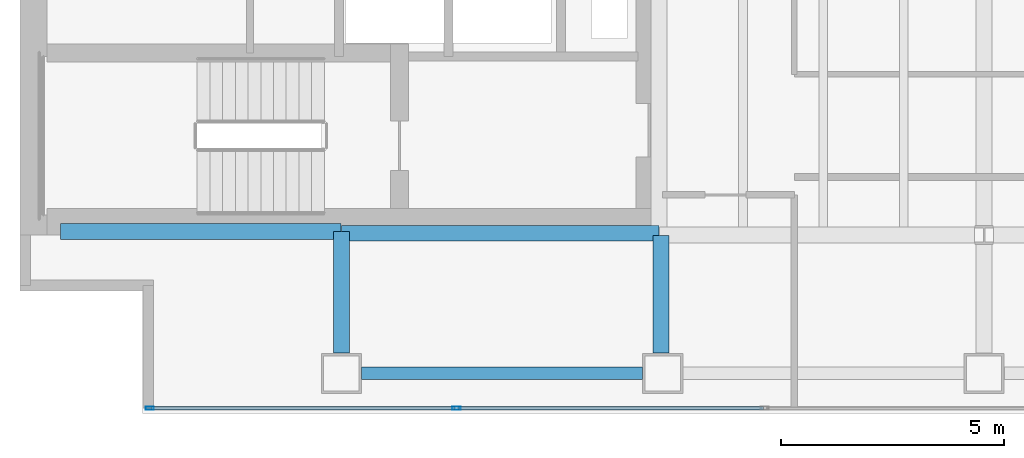
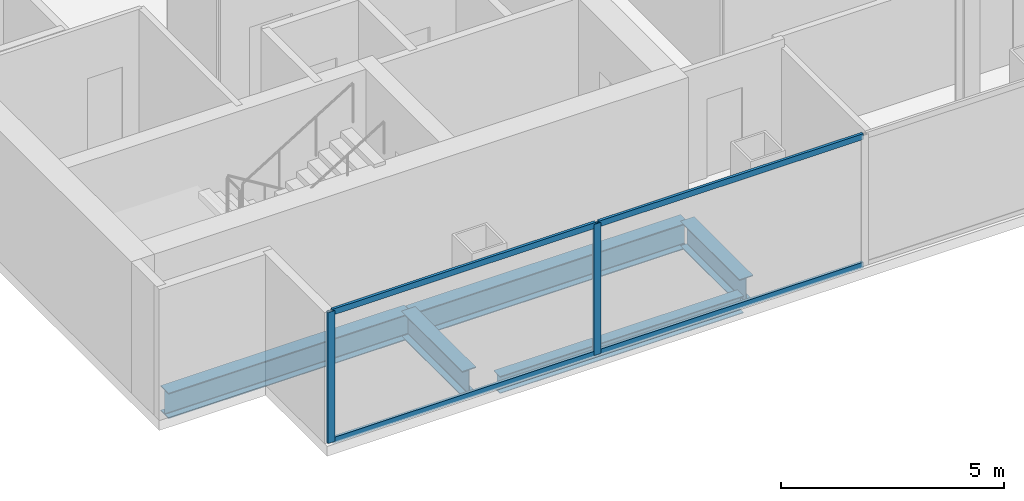
# One storey, part 2 of 23: 6 members, 5 beams, 1 element without a shape of its own.
"""IFC4 building model written with IfcOpenShell, lengths in metres."""

from ifc_helpers import new_model, si_unit, direction, frame, origin, origin_2d, place, context, subcontext, project, spatial, hollow_rectangle, i_section, extrude, material, material_profile, profile_set, type_object, element, aggregate, save


model = new_model("IFC4")

# Units and contexts
model_context = context("Model", 3, precision=1e-05, world=origin(), true_north=direction((0.0, 1.0)))
body_context = subcontext(model_context, "Body", "Model", "MODEL_VIEW")
ifc_project = project(units=[si_unit("LENGTHUNIT", "METRE"), si_unit("AREAUNIT", "SQUARE_METRE"), si_unit("VOLUMEUNIT", "CUBIC_METRE"), si_unit("PLANEANGLEUNIT", "RADIAN"), si_unit("MASSUNIT", "GRAM", prefix="KILO")], contexts=[model_context])

# Site, building, storey
site_placement = place(None, origin())
site = spatial("IfcSite", under=ifc_project, at=site_placement, CompositionType="ELEMENT")
building_placement = place(site_placement, origin())
building = spatial("IfcBuilding", under=site, at=building_placement, Name="Cobrela Telecom Tower", CompositionType="ELEMENT")
storey_placement = place(building_placement, frame((0.0, 0.0, 125.300048828125)))
storey = spatial("IfcBuildingStorey", under=building, at=storey_placement, Name="L31", CompositionType="ELEMENT", Elevation=125.300048828125)

# Beams
ifc_material_1 = material(Name="Steel ASTM A992 Grade 50", Category="steel")
ifc_material_profile_1 = material_profile(ifc_material_1, i_section(OverallWidth=0.35595703125, OverallDepth=0.696044921875, WebThickness=0.015380859375, FlangeThickness=0.024658203125, FilletRadius=0.01806640625, at=origin_2d()), Name="W27X146")
ifc_profile_set_1 = profile_set([ifc_material_profile_1], Name="Steel ASTM A992 Grade 50")
beam_type_1 = type_object("IfcBeamType", Name="BM-GIRD-05", PredefinedType="USERDEFINED", material=ifc_profile_set_1)
beam_1_placement = place(storey_placement, frame((0.905029296875, 7.280029296875, -0.6181640625), z_axis=(1.0, 0.0, 0.0), x_axis=(0.0, 1.0, 0.0)))
element("IfcBeam", 1, at=beam_1_placement, inside=storey, type_object=beam_type_1, Name="L31 Primary Girder X06", ObjectType="GIRDER", PredefinedType="USERDEFINED", context=body_context, shape_type="SweptSolid", body=[
    extrude(i_section(OverallWidth=0.35595703125, OverallDepth=0.696044921875, WebThickness=0.015380859375, FlangeThickness=0.024658203125, FilletRadius=0.01806640625, at=origin_2d()), origin(), (0.0, 0.0, 1.0), 6.2900390625),
])
beam_2_placement = place(storey_placement, frame((7.205078125, 7.239990234375, -0.6181640625), z_axis=(1.0, 0.0, 0.0), x_axis=(0.0, 1.0, 0.0)))
element("IfcBeam", 2, at=beam_2_placement, inside=storey, type_object=beam_type_1, Name="L31 Primary Girder X07", ObjectType="GIRDER", PredefinedType="USERDEFINED", context=body_context, shape_type="SweptSolid", body=[
    extrude(i_section(OverallWidth=0.35595703125, OverallDepth=0.696044921875, WebThickness=0.015380859375, FlangeThickness=0.024658203125, FilletRadius=0.01806640625, at=origin_2d()), origin(), (0.0, 0.0, 1.0), 7.10986328125),
])
beam_3_placement = place(storey_placement, frame((7.199951171875, 4.554931640625, -0.6181640625), z_axis=(0.0, 1.0, 0.0), x_axis=(-1.0, 0.0, 0.0)))
element("IfcBeam", 3, at=beam_3_placement, inside=storey, type_object=beam_type_1, Name="L31 Primary Girder Y31", ObjectType="GIRDER", PredefinedType="USERDEFINED", context=body_context, shape_type="SweptSolid", body=[
    extrude(i_section(OverallWidth=0.35595703125, OverallDepth=0.696044921875, WebThickness=0.015380859375, FlangeThickness=0.024658203125, FilletRadius=0.01806640625, at=origin_2d()), origin(), (0.0, 0.0, 1.0), 2.719970703125),
])
beam_4_placement = place(storey_placement, frame((14.360107421875, 4.554931640625, -0.6181640625), z_axis=(0.0, 1.0, 0.0), x_axis=(-1.0, 0.0, 0.0)))
element("IfcBeam", 4, at=beam_4_placement, inside=storey, type_object=beam_type_1, Name="L31 Primary Girder Y33", ObjectType="GIRDER", PredefinedType="USERDEFINED", context=body_context, shape_type="SweptSolid", body=[
    extrude(i_section(OverallWidth=0.35595703125, OverallDepth=0.696044921875, WebThickness=0.015380859375, FlangeThickness=0.024658203125, FilletRadius=0.01806640625, at=origin_2d()), origin(), (0.0, 0.0, 1.0), 2.64013671875),
])
ifc_material_profile_2 = material_profile(ifc_material_1, i_section(OverallWidth=0.281982421875, OverallDepth=0.467041015625, WebThickness=0.01220703125, FlangeThickness=0.01953125, FilletRadius=0.012939453125, at=origin_2d()), Name="W18X86")
ifc_profile_set_2 = profile_set([ifc_material_profile_2], Name="Steel ASTM A992 Grade 50")
beam_type_2 = type_object("IfcBeamType", Name="BM-SPAND-04", PredefinedType="SPANDREL", material=ifc_profile_set_2)
beam_5_placement = place(storey_placement, frame((7.655029296875, 4.10009765625, -0.503662109375), z_axis=(1.0, 0.0, 0.0), x_axis=(0.0, 1.0, 0.0)))
element("IfcBeam", 5, at=beam_5_placement, inside=storey, type_object=beam_type_2, Name="L31 Perimeter Spandrel X01", PredefinedType="SPANDREL", context=body_context, shape_type="SweptSolid", body=[
    extrude(i_section(OverallWidth=0.281982421875, OverallDepth=0.467041015625, WebThickness=0.01220703125, FlangeThickness=0.01953125, FilletRadius=0.012939453125, at=origin_2d()), origin(), (0.0, 0.0, 1.0), 6.2900390625),
])

# Curtain wall, members
ifc_material_2 = material(Name="Anodized Bronze Aluminium 6063-T6", Category="aluminium")
curtain_wall_type = type_object("IfcCurtainWallType", Name="CW-SYS-TEL", PredefinedType="USERDEFINED", material=ifc_material_2)
curtain_wall_placement = place(storey_placement, origin())
curtain_wall = element("IfcCurtainWall", 6, at=curtain_wall_placement, inside=storey, type_object=curtain_wall_type, Name="L31 Unitised Bronze Curtain Wall 17", ObjectType="UNITISED CURTAIN WALL", PredefinedType="USERDEFINED")
ifc_material_profile_3 = material_profile(ifc_material_2, hollow_rectangle(XDim=0.074951171875, YDim=0.179931640625, WallThickness=0.00390625, at=origin_2d()), Name="ALU 75x180x4")
ifc_profile_set_3 = profile_set([ifc_material_profile_3], Name="Anodized Bronze Aluminium 6063-T6")
member_type_1 = type_object("IfcMemberType", Name="CW-SYS-TEL-MUL", PredefinedType="MULLION", material=ifc_profile_set_3)
member_1_placement = place(storey_placement, frame((9.780029296875, 3.320068359375, 0.0), z_axis=(0.0, 0.0, 1.0), x_axis=(0.0, -1.0, 0.0)))
member_1 = element("IfcMember", 7, at=member_1_placement, type_object=member_type_1, Name="CW-TEL mullion 6", PredefinedType="MULLION", context=body_context, shape_type="SweptSolid", body=[
    extrude(hollow_rectangle(XDim=0.074951171875, YDim=0.179931640625, WallThickness=0.00390625, at=origin_2d()), origin(), (0.0, 0.0, 1.0), 3.579833984375),
])
member_2_placement = place(storey_placement, frame((2.907470703125, 3.320068359375, 0.0), z_axis=(0.0, 0.0, 1.0), x_axis=(0.0, -1.0, 0.0)))
member_2 = element("IfcMember", 8, at=member_2_placement, type_object=member_type_1, Name="CW-TEL mullion 7", PredefinedType="MULLION", context=body_context, shape_type="SweptSolid", body=[
    extrude(hollow_rectangle(XDim=0.074951171875, YDim=0.179931640625, WallThickness=0.00390625, at=origin_2d()), origin(), (0.0, 0.0, 1.0), 3.579833984375),
])
ifc_material_profile_4 = material_profile(ifc_material_2, hollow_rectangle(XDim=0.070068359375, YDim=0.159912109375, WallThickness=0.00390625, at=origin_2d()), Name="ALU 70x160x4")
ifc_profile_set_4 = profile_set([ifc_material_profile_4], Name="Anodized Bronze Aluminium 6063-T6")
member_type_2 = type_object("IfcMemberType", Name="CW-SYS-TEL-TRN", PredefinedType="USERDEFINED", material=ifc_profile_set_4)
member_3_placement = place(storey_placement, frame((16.652587890625, 3.320068359375, 0.034912109375), z_axis=(-1.0, 0.0, 0.0), x_axis=(0.0, -1.0, 0.0)))
member_3 = element("IfcMember", 9, at=member_3_placement, type_object=member_type_2, Name="CW-TEL transom 5.1", ObjectType="TRANSOM", PredefinedType="USERDEFINED", context=body_context, shape_type="SweptSolid", body=[
    extrude(hollow_rectangle(XDim=0.070068359375, YDim=0.159912109375, WallThickness=0.00390625, at=origin_2d()), origin(), (0.0, 0.0, 1.0), 6.835205078125),
])
member_4_placement = place(storey_placement, frame((16.652587890625, 3.320068359375, 3.544921875), z_axis=(-1.0, 0.0, 0.0), x_axis=(0.0, -1.0, 0.0)))
member_4 = element("IfcMember", 10, at=member_4_placement, type_object=member_type_2, Name="CW-TEL transom 5.2", ObjectType="TRANSOM", PredefinedType="USERDEFINED", context=body_context, shape_type="SweptSolid", body=[
    extrude(hollow_rectangle(XDim=0.070068359375, YDim=0.159912109375, WallThickness=0.00390625, at=origin_2d()), origin(), (0.0, 0.0, 1.0), 6.835205078125),
])
member_5_placement = place(storey_placement, frame((9.742431640625, 3.320068359375, 0.034912109375), z_axis=(-1.0, 0.0, 0.0), x_axis=(0.0, -1.0, 0.0)))
member_5 = element("IfcMember", 11, at=member_5_placement, type_object=member_type_2, Name="CW-TEL transom 6.1", ObjectType="TRANSOM", PredefinedType="USERDEFINED", context=body_context, shape_type="SweptSolid", body=[
    extrude(hollow_rectangle(XDim=0.070068359375, YDim=0.159912109375, WallThickness=0.00390625, at=origin_2d()), origin(), (0.0, 0.0, 1.0), 6.79736328125),
])
member_6_placement = place(storey_placement, frame((9.742431640625, 3.320068359375, 3.544921875), z_axis=(-1.0, 0.0, 0.0), x_axis=(0.0, -1.0, 0.0)))
member_6 = element("IfcMember", 12, at=member_6_placement, type_object=member_type_2, Name="CW-TEL transom 6.2", ObjectType="TRANSOM", PredefinedType="USERDEFINED", context=body_context, shape_type="SweptSolid", body=[
    extrude(hollow_rectangle(XDim=0.070068359375, YDim=0.159912109375, WallThickness=0.00390625, at=origin_2d()), origin(), (0.0, 0.0, 1.0), 6.79736328125),
])
aggregate(curtain_wall, [member_1, member_2, member_3, member_4, member_5, member_6])

save(model, "model.ifc")
